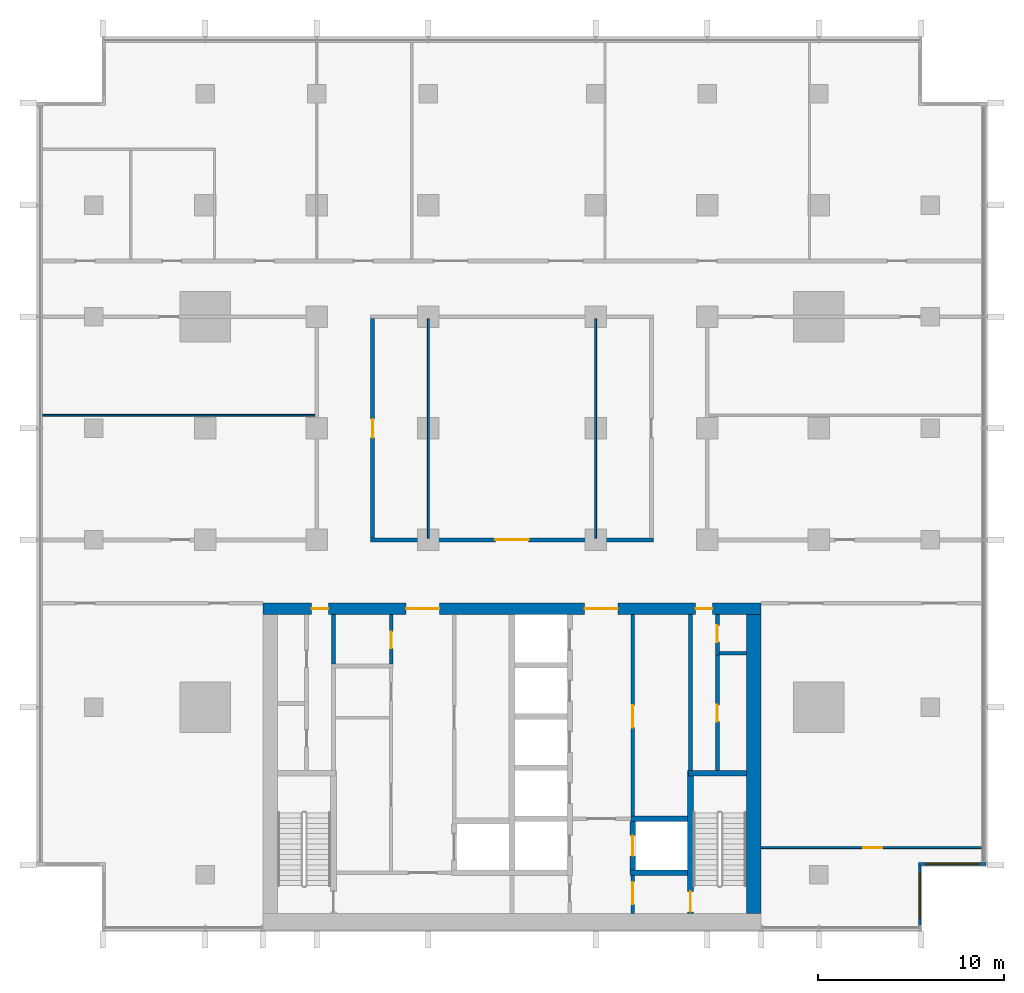
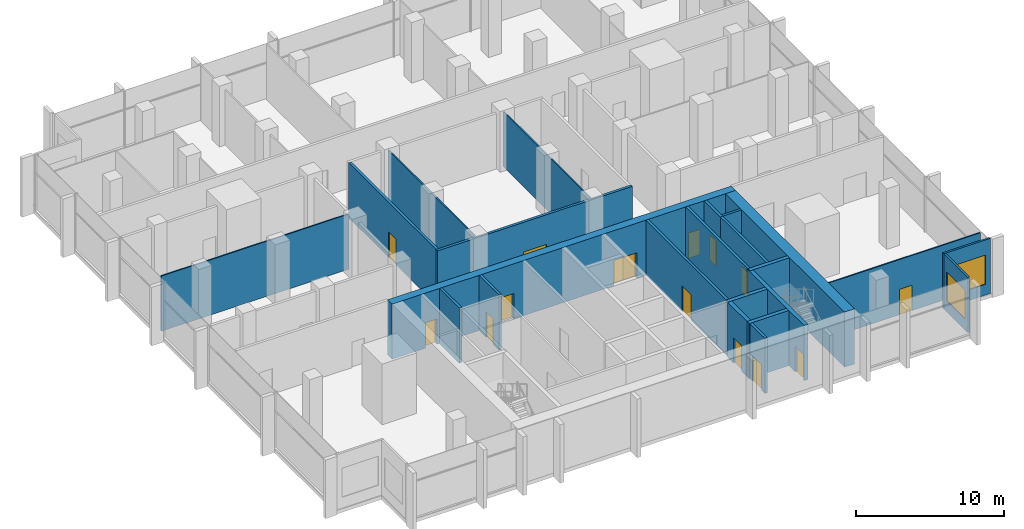
# One storey, part 8 of 15: 23 walls, 14 doors, 2 windows, 16 openings.
"""IFC4 building model written with IfcOpenShell, lengths in metres."""

import ifcopenshell
import ifcopenshell.guid

model = None  # the IFC model being written
_history = None  # IfcOwnerHistory: only IFC2X3 demands one
_inside = {}  # id of a spatial element -> (the spatial element, [elements in it])
_under = {}  # id of a project, library or spatial element -> (it, [spatial elements below it])
_declared = {}  # id of a project -> (the project, [libraries it declares])
_typed = {}  # id of a type object -> (the type object, [elements of that type])
_made_of = {}  # id of a material, layer set ... -> (it, [elements and type objects made of it])


def new_model(schema):
    """Start an empty IFC model of exactly this schema.

    Asked for "IFC4X3", IfcOpenShell would pick the latest addendum, in which some entities
    have other attributes; the version numbers below select the first issue.
    IFC2X3 requires an IfcOwnerHistory on every rooted entity: one is made here for all.
    """
    global model, _history
    if schema == "IFC4X3":
        model = ifcopenshell.file(schema_version=(4, 3, 0, 0))
    else:
        model = ifcopenshell.file(schema=schema)
    _inside.clear()
    _under.clear()
    _declared.clear()
    _typed.clear()
    _made_of.clear()
    _history = None
    if model.schema == "IFC2X3":
        org = make("IfcOrganization", Name="unknown")
        user = make(
            "IfcPersonAndOrganization",
            ThePerson=make("IfcPerson", FamilyName="unknown"),
            TheOrganization=org,
        )
        app = make(
            "IfcApplication",
            ApplicationDeveloper=org,
            Version="unknown",
            ApplicationFullName="unknown",
            ApplicationIdentifier="unknown",
        )
        _history = make(
            "IfcOwnerHistory",
            OwningUser=user,
            OwningApplication=app,
            ChangeAction="ADDED",
            CreationDate=0,
        )
    return model


def make(cls, **values):
    """One entity of the class cls with the attributes given. An attribute that is None is left unset."""
    return model.create_entity(
        cls, **{name: value for name, value in values.items() if value is not None}
    )


def rooted(cls, **values):
    """An entity with a GlobalId (a new one), such as an element, a storey or a relation."""
    return make(cls, GlobalId=ifcopenshell.guid.new(), OwnerHistory=_history, **values)


def si_unit(unit_type, name, prefix=None):
    """IfcSIUnit, for example si_unit("LENGTHUNIT", "METRE", prefix="MILLI")."""
    return make("IfcSIUnit", UnitType=unit_type, Prefix=prefix, Name=name)


def assignment(units):
    """IfcUnitAssignment: the units of a project."""
    return None if units is None else make("IfcUnitAssignment", Units=units)


def point(xyz):
    """IfcCartesianPoint."""
    return None if xyz is None else make("IfcCartesianPoint", Coordinates=xyz)


def direction(xyz):
    """IfcDirection."""
    return None if xyz is None else make("IfcDirection", DirectionRatios=xyz)


def frame(location, z_axis=None, x_axis=None):
    """IfcAxis2Placement3D, a coordinate frame: its origin and axes. An axis left out is left unset."""
    return make(
        "IfcAxis2Placement3D",
        Location=point(location),
        Axis=direction(z_axis),
        RefDirection=direction(x_axis),
    )


def frame_2d(location, x_axis=None):
    """IfcAxis2Placement2D, a coordinate frame in the plane: its origin and x axis."""
    return make(
        "IfcAxis2Placement2D", Location=point(location), RefDirection=direction(x_axis)
    )


def origin():
    """The frame at (0, 0, 0) with its axes left unset."""
    return frame((0.0, 0.0, 0.0))


def place(relative_to, where):
    """IfcLocalPlacement: puts the frame where relative to a parent placement (None: the world)."""
    return make(
        "IfcLocalPlacement", PlacementRelTo=relative_to, RelativePlacement=where
    )


def context(
    kind, dimensions, precision=None, world=None, true_north=None, identifier=None
):
    """IfcGeometricRepresentationContext, for example the 3D "Model" context."""
    return make(
        "IfcGeometricRepresentationContext",
        ContextIdentifier=identifier,
        ContextType=kind,
        CoordinateSpaceDimension=dimensions,
        Precision=precision,
        WorldCoordinateSystem=world,
        TrueNorth=true_north,
    )


def subcontext(parent, identifier, kind, view, scale=None):
    """IfcGeometricRepresentationSubContext, for example "Body" below "Model"."""
    return make(
        "IfcGeometricRepresentationSubContext",
        ContextIdentifier=identifier,
        ContextType=kind,
        ParentContext=parent,
        TargetScale=scale,
        TargetView=view,
    )


def project(units=None, contexts=None):
    """IfcProject with its units and contexts."""
    return rooted(
        "IfcProject",
        Name="project",
        RepresentationContexts=contexts,
        UnitsInContext=assignment(units),
    )


def spatial(cls, under=None, at=None, **own):
    """A site, building, storey or space (cls), placed at a placement, below another one or the project."""
    s = rooted(cls, ObjectPlacement=at, **own)
    if under is not None:
        _under.setdefault(under.id(), (under, []))[1].append(s)
    return s


def profile(cls, at=None, kind="AREA", **sizes):
    """A parametric profile (cls). Its sizes go by their IFC names, for example OverallWidth=200.0."""
    return make(cls, ProfileType=kind, Position=at, **sizes)


def rectangle(**sizes):
    """IfcRectangleProfileDef."""
    return profile("IfcRectangleProfileDef", **sizes)


def extrude(swept, where, along, depth):
    """IfcExtrudedAreaSolid: the profile swept, set in the frame where, extruded along a direction by depth."""
    return make(
        "IfcExtrudedAreaSolid",
        SweptArea=swept,
        Position=where,
        ExtrudedDirection=direction(along),
        Depth=depth,
    )


def shape(context_of_items, identifier, shape_type, items):
    """IfcShapeRepresentation: the items that make up one representation, for example the "Body"."""
    return make(
        "IfcShapeRepresentation",
        ContextOfItems=context_of_items,
        RepresentationIdentifier=identifier,
        RepresentationType=shape_type,
        Items=items,
    )


def material(Name=None, Category=None):
    """IfcMaterial."""
    return make("IfcMaterial", Name=Name, Category=Category)


def layer(
    of_material, thickness, ventilated=None, Name=None, Category=None, Priority=None
):
    """IfcMaterialLayer: one layer of a wall or slab, of a material (None: an air gap)."""
    return make(
        "IfcMaterialLayer",
        Material=of_material,
        LayerThickness=thickness,
        IsVentilated=ventilated,
        Name=Name,
        Category=Category,
        Priority=Priority,
    )


def layer_set(layers, Name=None):
    """IfcMaterialLayerSet."""
    return make("IfcMaterialLayerSet", MaterialLayers=layers, LayerSetName=Name)


def made_of(thing, what):
    """Note that an element or type object is made of a material, layer set ...; save() writes the relation."""
    if what is not None:
        _made_of.setdefault(what.id(), (what, []))[1].append(thing)
    return thing


def type_object(cls, material=None, **own):
    """A type object (cls), such as IfcWallType, which elements share."""
    return made_of(rooted(cls, **own), material)


def element(
    cls,
    number,
    at=None,
    inside=None,
    cuts=None,
    type_object=None,
    material=None,
    context=None,
    identifier="Body",
    shape_type=None,
    held_by="IfcProductDefinitionShape",
    body=None,
    shapes=None,
    **own,
):
    """One element of the class cls, such as IfcWall. Its Tag is "e" and its number.

    at: its placement. inside: the storey or other place that contains it. cuts: it is an
    opening in that element (IfcRelVoidsElement). A single representation is given by context,
    identifier, shape_type and body (its items); several are given by shapes. held_by: the class
    of the entity that holds the representations. save() writes the other relations.
    """
    e = rooted(cls, Tag="e%d" % number, ObjectPlacement=at, **own)
    if body is not None:
        shapes = [shape(context, identifier, shape_type, body)]
    if shapes is not None:
        e.Representation = make(held_by, Representations=shapes)
    if inside is not None:
        _inside.setdefault(inside.id(), (inside, []))[1].append(e)
    if cuts is not None:
        rooted(
            "IfcRelVoidsElement", RelatingBuildingElement=cuts, RelatedOpeningElement=e
        )
    if type_object is not None:
        _typed.setdefault(type_object.id(), (type_object, []))[1].append(e)
    return made_of(e, material)


def fill(opening, filler):
    """IfcRelFillsElement: the door or window that sits in an opening."""
    return rooted(
        "IfcRelFillsElement",
        RelatingOpeningElement=opening,
        RelatedBuildingElement=filler,
    )


def aggregate(whole, parts):
    """IfcRelAggregates: a whole, such as a stair, and the parts it consists of."""
    return rooted("IfcRelAggregates", RelatingObject=whole, RelatedObjects=parts)


def save(model, path):
    """Write the relations noted so far, then the file.

    IfcRelAggregates (storeys below a building ...), IfcRelContainedInSpatialStructure (elements
    in a storey), IfcRelDefinesByType, IfcRelAssociatesMaterial and IfcRelDeclares: one each for
    every whole, place, type object, material and project.
    """
    for whole, parts in _under.values():
        aggregate(whole, parts)
    for where, things in _inside.values():
        rooted(
            "IfcRelContainedInSpatialStructure",
            RelatedElements=things,
            RelatingStructure=where,
        )
    for kind, things in _typed.values():
        rooted("IfcRelDefinesByType", RelatedObjects=things, RelatingType=kind)
    for what, things in _made_of.values():
        rooted("IfcRelAssociatesMaterial", RelatedObjects=things, RelatingMaterial=what)
    for by, libraries in _declared.values():
        rooted("IfcRelDeclares", RelatingContext=by, RelatedDefinitions=libraries)
    model.write(path)


model = new_model("IFC4")

# Units and contexts
model_context = context("Model", 3, precision=1e-05, world=origin(), true_north=direction((0.0, 1.0)))
body_context = subcontext(model_context, "Body", "Model", "MODEL_VIEW")
ifc_project = project(units=[si_unit("LENGTHUNIT", "METRE"), si_unit("AREAUNIT", "SQUARE_METRE"), si_unit("VOLUMEUNIT", "CUBIC_METRE"), si_unit("PLANEANGLEUNIT", "RADIAN"), si_unit("MASSUNIT", "GRAM", prefix="KILO")], contexts=[model_context])

# Site, building, storey
site_placement = place(None, origin())
site = spatial("IfcSite", under=ifc_project, at=site_placement, CompositionType="ELEMENT")
building_placement = place(site_placement, origin())
building = spatial("IfcBuilding", under=site, at=building_placement, Name="Finial Court Residences", CompositionType="ELEMENT")
storey_placement = place(building_placement, frame((0.0, 0.0, 138.89990234375)))
storey = spatial("IfcBuildingStorey", under=building, at=storey_placement, Name="L34", CompositionType="ELEMENT", Elevation=138.89990234375)

# Wall, openings, doors
ifc_material_1 = material(Name="Concrete C70/85", Category="concrete")
ifc_layer_1 = layer(ifc_material_1, 0.60009765625)
ifc_layer_set_1 = layer_set([ifc_layer_1], Name="Core outer wall 600 Concrete C70/85")
wall_type_1 = type_object("IfcWallType", Name="Core outer wall 600 Concrete C70/85", PredefinedType="SHEAR", material=ifc_layer_set_1)
wall_1_placement = place(storey_placement, frame((-13.39990234375, -8.199951171875, 0.0), z_axis=(0.0, 0.0, 1.0), x_axis=(1.0, 0.0, 0.0)))
wall_1 = element("IfcWall", 1, at=wall_1_placement, inside=storey, type_object=wall_type_1, Name="Core outer wall L34-02", PredefinedType="SHEAR", context=body_context, shape_type="SweptSolid", body=[
    extrude(rectangle(XDim=26.7998046875, YDim=0.60009765625, at=frame_2d((13.39990234375, 0.0))), origin(), (0.0, 0.0, 1.0), 4.550048828125),
])
opening_1_placement = place(wall_1_placement, frame((7.699951171875, 0.0, 0.0)))
opening_1 = element("IfcOpeningElement", 2, at=opening_1_placement, cuts=wall_1, Name="Opening L34-C04", PredefinedType="OPENING", context=body_context, shape_type="SweptSolid", body=[
    extrude(rectangle(XDim=1.800048828125, YDim=2.10009765625, at=frame_2d((0.89990234375, 1.050048828125))), frame((0.0, 0.31005859375, 0.0), z_axis=(0.0, -1.0, 0.0), x_axis=(1.0, 0.0, 0.0)), (0.0, 0.0, 1.0), 0.6201171875),
])
opening_2_placement = place(wall_1_placement, frame((17.300048828125, 0.0, 0.0)))
opening_2 = element("IfcOpeningElement", 3, at=opening_2_placement, cuts=wall_1, Name="Opening L34-C05", PredefinedType="OPENING", context=body_context, shape_type="SweptSolid", body=[
    extrude(rectangle(XDim=1.800048828125, YDim=2.10009765625, at=frame_2d((0.89990234375, 1.050048828125))), frame((0.0, 0.31005859375, 0.0), z_axis=(0.0, -1.0, 0.0), x_axis=(1.0, 0.0, 0.0)), (0.0, 0.0, 1.0), 0.6201171875),
])
opening_3_placement = place(wall_1_placement, frame((2.625, 0.0, 0.0)))
opening_3 = element("IfcOpeningElement", 4, at=opening_3_placement, cuts=wall_1, Name="Opening L34-C12", PredefinedType="OPENING", context=body_context, shape_type="SweptSolid", body=[
    extrude(rectangle(XDim=0.89990234375, YDim=2.10009765625, at=frame_2d((0.449951171875, 1.050048828125))), frame((0.0, 0.31005859375, 0.0), z_axis=(0.0, -1.0, 0.0), x_axis=(1.0, 0.0, 0.0)), (0.0, 0.0, 1.0), 0.6201171875),
])
opening_4_placement = place(wall_1_placement, frame((23.27490234375, 0.0, 0.0)))
opening_4 = element("IfcOpeningElement", 5, at=opening_4_placement, cuts=wall_1, Name="Opening L34-C13", PredefinedType="OPENING", context=body_context, shape_type="SweptSolid", body=[
    extrude(rectangle(XDim=0.89990234375, YDim=2.10009765625, at=frame_2d((0.449951171875, 1.050048828125))), frame((0.0, 0.31005859375, 0.0), z_axis=(0.0, -1.0, 0.0), x_axis=(1.0, 0.0, 0.0)), (0.0, 0.0, 1.0), 0.6201171875),
])
ifc_material_2 = material(Name="Steel fire door", Category="steel")
door_type_1 = type_object("IfcDoorType", Name="Lift lobby door 1800 x 2100 EI 60", OperationType="DOUBLE_DOOR_SINGLE_SWING", PredefinedType="DOOR", material=ifc_material_2)
door_1_placement = place(opening_1_placement, origin())
door_1 = element("IfcDoor", 6, at=door_1_placement, inside=storey, type_object=door_type_1, Name="Lift lobby door L34-C04", OperationType="DOUBLE_DOOR_SINGLE_SWING", OverallHeight=2.10009765625, OverallWidth=1.800048828125, PredefinedType="DOOR", context=body_context, shape_type="SweptSolid", body=[
    extrude(rectangle(XDim=1.800048828125, YDim=2.10009765625, at=frame_2d((0.89990234375, 1.050048828125))), frame((0.0, 0.02490234375, 0.0), z_axis=(0.0, -1.0, 0.0), x_axis=(1.0, 0.0, 0.0)), (0.0, 0.0, 1.0), 0.050048828125),
])
fill(opening_1, door_1)
door_2_placement = place(opening_2_placement, origin())
door_2 = element("IfcDoor", 7, at=door_2_placement, inside=storey, type_object=door_type_1, Name="Lift lobby door L34-C05", OperationType="DOUBLE_DOOR_SINGLE_SWING", OverallHeight=2.10009765625, OverallWidth=1.800048828125, PredefinedType="DOOR", context=body_context, shape_type="SweptSolid", body=[
    extrude(rectangle(XDim=1.800048828125, YDim=2.10009765625, at=frame_2d((0.89990234375, 1.050048828125))), frame((0.0, 0.02490234375, 0.0), z_axis=(0.0, -1.0, 0.0), x_axis=(1.0, 0.0, 0.0)), (0.0, 0.0, 1.0), 0.050048828125),
])
fill(opening_2, door_2)
door_type_2 = type_object("IfcDoorType", Name="Riser room door 900 x 2100 EI 90", OperationType="NOTDEFINED", PredefinedType="DOOR", material=ifc_material_2)
door_3_placement = place(opening_3_placement, origin())
door_3 = element("IfcDoor", 8, at=door_3_placement, inside=storey, type_object=door_type_2, Name="Riser room door L34-C12", OperationType="SINGLE_SWING_RIGHT", OverallHeight=2.10009765625, OverallWidth=0.89990234375, PredefinedType="DOOR", context=body_context, shape_type="SweptSolid", body=[
    extrude(rectangle(XDim=0.89990234375, YDim=2.10009765625, at=frame_2d((0.449951171875, 1.050048828125))), frame((0.0, 0.02490234375, 0.0), z_axis=(0.0, -1.0, 0.0), x_axis=(1.0, 0.0, 0.0)), (0.0, 0.0, 1.0), 0.050048828125),
])
fill(opening_3, door_3)
door_4_placement = place(opening_4_placement, origin())
door_4 = element("IfcDoor", 9, at=door_4_placement, inside=storey, type_object=door_type_2, Name="Riser room door L34-C13", OperationType="SINGLE_SWING_LEFT", OverallHeight=2.10009765625, OverallWidth=0.89990234375, PredefinedType="DOOR", context=body_context, shape_type="SweptSolid", body=[
    extrude(rectangle(XDim=0.89990234375, YDim=2.10009765625, at=frame_2d((0.449951171875, 1.050048828125))), frame((0.0, 0.02490234375, 0.0), z_axis=(0.0, -1.0, 0.0), x_axis=(1.0, 0.0, 0.0)), (0.0, 0.0, 1.0), 0.050048828125),
])
fill(opening_4, door_4)

# Wall
ifc_layer_2 = layer(ifc_material_1, 0.800048828125)
ifc_layer_set_2 = layer_set([ifc_layer_2], Name="Core outer wall 800 Concrete C70/85")
wall_type_2 = type_object("IfcWallType", Name="Core outer wall 800 Concrete C70/85", PredefinedType="SHEAR", material=ifc_layer_set_2)
wall_2_placement = place(storey_placement, frame((13.0, -24.60009765625, 0.0), z_axis=(0.0, 0.0, 1.0), x_axis=(0.0, 1.0, 0.0)))
element("IfcWall", 10, at=wall_2_placement, inside=storey, type_object=wall_type_2, Name="Core outer wall L34-04", PredefinedType="SHEAR", context=body_context, shape_type="SweptSolid", body=[
    extrude(rectangle(XDim=16.10009765625, YDim=0.800048828125, at=frame_2d((8.050048828125, 0.0))), origin(), (0.0, 0.0, 1.0), 4.550048828125),
])

# Wall, opening, door
ifc_material_3 = material(Name="Gypsum board")
ifc_layer_3 = layer(ifc_material_3, 0.02490234375)
ifc_material_4 = material(Name="Acoustic mineral wool in double frame")
ifc_layer_4 = layer(ifc_material_4, 0.14990234375)
ifc_layer_5 = layer(ifc_material_3, 0.02490234375)
ifc_layer_set_3 = layer_set([ifc_layer_3, ifc_layer_4, ifc_layer_5], Name="Corridor wall 200, 1 hour")
wall_type_3 = type_object("IfcWallType", Name="Corridor wall 200, 1 hour", PredefinedType="PARTITIONING", material=ifc_layer_set_3)
wall_3_placement = place(storey_placement, frame((-7.60009765625, -4.5, 0.0), z_axis=(0.0, 0.0, 1.0), x_axis=(1.0, 0.0, 0.0)))
wall_3 = element("IfcWall", 11, at=wall_3_placement, inside=storey, type_object=wall_type_3, Name="Partition L34-004", PredefinedType="PARTITIONING", context=body_context, shape_type="SweptSolid", body=[
    extrude(rectangle(XDim=15.2001953125, YDim=0.199951171875, at=frame_2d((7.60009765625, 0.0))), origin(), (0.0, 0.0, 1.0), 4.550048828125),
])
opening_5_placement = place(wall_3_placement, frame((6.699951171875, 0.0, 0.0)))
opening_5 = element("IfcOpeningElement", 12, at=opening_5_placement, cuts=wall_3, Name="Opening L34-D007", PredefinedType="OPENING", context=body_context, shape_type="SweptSolid", body=[
    extrude(rectangle(XDim=1.800048828125, YDim=2.10009765625, at=frame_2d((0.89990234375, 1.050048828125))), frame((0.0, 0.10986328125, 0.0), z_axis=(0.0, -1.0, 0.0), x_axis=(1.0, 0.0, 0.0)), (0.0, 0.0, 1.0), 0.219970703125),
])
ifc_material_5 = material(Name="Timber door leaf in hollow metal frame", Category="wood")
door_type_3 = type_object("IfcDoorType", Name="Fire door set 1800 x 2100, 30 minutes", OperationType="DOUBLE_DOOR_SINGLE_SWING", PredefinedType="DOOR", material=ifc_material_5)
door_5_placement = place(opening_5_placement, origin())
door_5 = element("IfcDoor", 13, at=door_5_placement, inside=storey, type_object=door_type_3, Name="Door L34-D007", OperationType="DOUBLE_DOOR_SINGLE_SWING", OverallHeight=2.10009765625, OverallWidth=1.800048828125, PredefinedType="DOOR", context=body_context, shape_type="SweptSolid", body=[
    extrude(rectangle(XDim=1.800048828125, YDim=2.10009765625, at=frame_2d((0.89990234375, 1.050048828125))), frame((0.0, 0.02490234375, 0.0), z_axis=(0.0, -1.0, 0.0), x_axis=(1.0, 0.0, 0.0)), (0.0, 0.0, 1.0), 0.050048828125),
])
fill(opening_5, door_5)

wall_4_placement = place(storey_placement, frame((-7.5, -4.39990234375, 0.0), z_axis=(0.0, 0.0, 1.0), x_axis=(0.0, 1.0, 0.0)))
wall_4 = element("IfcWall", 14, at=wall_4_placement, inside=storey, type_object=wall_type_3, Name="Partition L34-017", PredefinedType="PARTITIONING", context=body_context, shape_type="SweptSolid", body=[
    extrude(rectangle(XDim=11.7998046875, YDim=0.199951171875, at=frame_2d((5.89990234375, 0.0))), origin(), (0.0, 0.0, 1.0), 4.550048828125),
])
opening_6_placement = place(wall_4_placement, frame((5.39990234375, 0.0, 0.0)))
opening_6 = element("IfcOpeningElement", 15, at=opening_6_placement, cuts=wall_4, Name="Opening L34-D020", PredefinedType="OPENING", context=body_context, shape_type="SweptSolid", body=[
    extrude(rectangle(XDim=1.0, YDim=2.10009765625, at=frame_2d((0.5, 1.050048828125))), frame((0.0, 0.10986328125, 0.0), z_axis=(0.0, -1.0, 0.0), x_axis=(1.0, 0.0, 0.0)), (0.0, 0.0, 1.0), 0.219970703125),
])
door_type_4 = type_object("IfcDoorType", Name="Fire door set 1000 x 2100, 30 minutes", OperationType="SINGLE_SWING_LEFT", PredefinedType="DOOR", material=ifc_material_5)
door_6_placement = place(opening_6_placement, origin())
door_6 = element("IfcDoor", 16, at=door_6_placement, inside=storey, type_object=door_type_4, Name="Door L34-D020", OperationType="SINGLE_SWING_RIGHT", OverallHeight=2.10009765625, OverallWidth=1.0, PredefinedType="DOOR", context=body_context, shape_type="SweptSolid", body=[
    extrude(rectangle(XDim=1.0, YDim=2.10009765625, at=frame_2d((0.5, 1.050048828125))), frame((0.0, 0.02490234375, 0.0), z_axis=(0.0, -1.0, 0.0), x_axis=(1.0, 0.0, 0.0)), (0.0, 0.0, 1.0), 0.050048828125),
])
fill(opening_6, door_6)

ifc_material_6 = material(Name="Fire-rated gypsum board partition")
ifc_layer_6 = layer(ifc_material_6, 0.199951171875)
ifc_layer_set_4 = layer_set([ifc_layer_6], Name="Firefighting lobby wall 200 EI 120")
wall_type_4 = type_object("IfcWallType", Name="Firefighting lobby wall 200 EI 120", PredefinedType="PARTITIONING", material=ifc_layer_set_4)
wall_5_placement = place(storey_placement, frame((6.5, -22.550048828125, 0.0), z_axis=(0.0, 0.0, 1.0), x_axis=(0.0, -1.0, 0.0)))
wall_5 = element("IfcWall", 17, at=wall_5_placement, inside=storey, type_object=wall_type_4, Name="Core partition L34-30", PredefinedType="PARTITIONING", context=body_context, shape_type="SweptSolid", body=[
    extrude(rectangle(XDim=2.050048828125, YDim=0.199951171875, at=frame_2d((1.02490234375, 0.0))), origin(), (0.0, 0.0, 1.0), 4.550048828125),
])
opening_7_placement = place(wall_5_placement, frame((0.35009765625, 0.0, 0.0)))
opening_7 = element("IfcOpeningElement", 18, at=opening_7_placement, cuts=wall_5, Name="Opening L34-C01", PredefinedType="OPENING", context=body_context, shape_type="SweptSolid", body=[
    extrude(rectangle(XDim=1.199951171875, YDim=2.10009765625, at=frame_2d((0.60009765625, 1.050048828125))), frame((0.0, 0.10986328125, 0.0), z_axis=(0.0, -1.0, 0.0), x_axis=(1.0, 0.0, 0.0)), (0.0, 0.0, 1.0), 0.219970703125),
])
door_type_5 = type_object("IfcDoorType", Name="Firefighting lobby door 1200 x 2100 EI 90", OperationType="NOTDEFINED", PredefinedType="DOOR", material=ifc_material_2)
door_7_placement = place(opening_7_placement, origin())
door_7 = element("IfcDoor", 19, at=door_7_placement, inside=storey, type_object=door_type_5, Name="Firefighting lobby door L34-C01", OperationType="SINGLE_SWING_RIGHT", OverallHeight=2.10009765625, OverallWidth=1.199951171875, PredefinedType="DOOR", context=body_context, shape_type="SweptSolid", body=[
    extrude(rectangle(XDim=1.199951171875, YDim=2.10009765625, at=frame_2d((0.60009765625, 1.050048828125))), frame((0.0, 0.02490234375, 0.0), z_axis=(0.0, -1.0, 0.0), x_axis=(1.0, 0.0, 0.0)), (0.0, 0.0, 1.0), 0.050048828125),
])
fill(opening_7, door_7)

ifc_layer_7 = layer(ifc_material_3, 0.012451171875)
ifc_material_7 = material(Name="Mineral wool in light-gauge frame")
ifc_layer_8 = layer(ifc_material_7, 0.074951171875)
ifc_layer_9 = layer(ifc_material_3, 0.012451171875)
ifc_layer_set_5 = layer_set([ifc_layer_7, ifc_layer_8, ifc_layer_9], Name="Gypsum board partition 100")
wall_type_5 = type_object("IfcWallType", Name="Gypsum board partition 100", PredefinedType="PARTITIONING", material=ifc_layer_set_5)
wall_6_placement = place(storey_placement, frame((13.39990234375, -21.050048828125, 0.0), z_axis=(0.0, 0.0, 1.0), x_axis=(1.0, 0.0, 0.0)))
wall_6 = element("IfcWall", 20, at=wall_6_placement, inside=storey, type_object=wall_type_5, Name="Partition L34-000", PredefinedType="PARTITIONING", context=body_context, shape_type="SweptSolid", body=[
    extrude(rectangle(XDim=11.837646484375, YDim=0.10009765625, at=frame_2d((5.9189453125, 0.0))), origin(), (0.0, 0.0, 1.0), 4.550048828125),
])
opening_8_placement = place(wall_6_placement, frame((5.5, 0.0, 0.0)))
opening_8 = element("IfcOpeningElement", 21, at=opening_8_placement, cuts=wall_6, Name="Opening L34-D001", PredefinedType="OPENING", context=body_context, shape_type="SweptSolid", body=[
    extrude(rectangle(XDim=1.0, YDim=2.10009765625, at=frame_2d((0.5, 1.050048828125))), frame((0.0, 0.06005859375, 0.0), z_axis=(0.0, -1.0, 0.0), x_axis=(1.0, 0.0, 0.0)), (0.0, 0.0, 1.0), 0.1201171875),
])
ifc_material_8 = material(Name="Timber door leaf in timber frame", Category="wood")
door_type_6 = type_object("IfcDoorType", Name="Door set 1000 x 2100", OperationType="SINGLE_SWING_LEFT", PredefinedType="DOOR", material=ifc_material_8)
door_8_placement = place(opening_8_placement, origin())
door_8 = element("IfcDoor", 22, at=door_8_placement, inside=storey, type_object=door_type_6, Name="Door L34-D001", OperationType="SINGLE_SWING_LEFT", OverallHeight=2.10009765625, OverallWidth=1.0, PredefinedType="DOOR", context=body_context, shape_type="SweptSolid", body=[
    extrude(rectangle(XDim=1.0, YDim=2.10009765625, at=frame_2d((0.5, 1.050048828125))), frame((0.0, 0.02490234375, 0.0), z_axis=(0.0, -1.0, 0.0), x_axis=(1.0, 0.0, 0.0)), (0.0, 0.0, 1.0), 0.050048828125),
])
fill(opening_8, door_8)

# Walls
wall_7_placement = place(storey_placement, frame((-25.237548828125, 2.199951171875, 0.0), z_axis=(0.0, 0.0, 1.0), x_axis=(1.0, 0.0, 0.0)))
element("IfcWall", 23, at=wall_7_placement, inside=storey, type_object=wall_type_5, Name="Partition L34-006", PredefinedType="PARTITIONING", context=body_context, shape_type="SweptSolid", body=[
    extrude(rectangle(XDim=14.637451171875, YDim=0.10009765625, at=frame_2d((7.31884765625, 0.0))), origin(), (0.0, 0.0, 1.0), 4.550048828125),
])
for number, where, z_axis, x_axis, name in (
    (24, (-4.5, -4.39990234375, 0.0), (0.0, 0.0, 1.0), (0.0, 1.0, 0.0), "Partition L34-019"),
    (25, (4.5, -4.39990234375, 0.0), (0.0, 0.0, 1.0), (0.0, 1.0, 0.0), "Partition L34-020"),
):
    element("IfcWall", number, at=place(storey_placement, frame(where, z_axis=z_axis, x_axis=x_axis)), inside=storey, type_object=wall_type_5, Name=name, PredefinedType="PARTITIONING", context=body_context, shape_type="SweptSolid", body=[
        extrude(rectangle(XDim=11.7998046875, YDim=0.10009765625, at=frame_2d((5.89990234375, 0.0))), origin(), (0.0, 0.0, 1.0), 4.550048828125),
    ])
ifc_layer_10 = layer(ifc_material_1, 0.300048828125)
ifc_layer_set_6 = layer_set([ifc_layer_10], Name="Lift shaft and stair wall 300 Concrete C70/85")
wall_type_6 = type_object("IfcWallType", Name="Lift shaft and stair wall 300 Concrete C70/85", PredefinedType="SHEAR", material=ifc_layer_set_6)
wall_8_placement = place(storey_placement, frame((6.35009765625, -22.39990234375, 0.0), z_axis=(0.0, 0.0, 1.0), x_axis=(1.0, 0.0, 0.0)))
element("IfcWall", 26, at=wall_8_placement, inside=storey, type_object=wall_type_6, Name="Core wall L34-03", PredefinedType="SHEAR", context=body_context, shape_type="SweptSolid", body=[
    extrude(rectangle(XDim=3.099853515625, YDim=0.300048828125, at=frame_2d((1.5498046875, 0.0))), origin(), (0.0, 0.0, 1.0), 4.550048828125),
])
wall_9_placement = place(storey_placement, frame((6.39990234375, -19.5, 0.0), z_axis=(0.0, 0.0, 1.0), x_axis=(1.0, 0.0, 0.0)))
element("IfcWall", 27, at=wall_9_placement, inside=storey, type_object=wall_type_6, Name="Core wall L34-07", PredefinedType="SHEAR", context=body_context, shape_type="SweptSolid", body=[
    extrude(rectangle(XDim=3.050048828125, YDim=0.300048828125, at=frame_2d((1.52490234375, 0.0))), origin(), (0.0, 0.0, 1.0), 4.550048828125),
])
wall_10_placement = place(storey_placement, frame((9.5, -17.050048828125, 0.0), z_axis=(0.0, 0.0, 1.0), x_axis=(1.0, 0.0, 0.0)))
element("IfcWall", 28, at=wall_10_placement, inside=storey, type_object=wall_type_6, Name="Core wall L34-09", PredefinedType="SHEAR", context=body_context, shape_type="SweptSolid", body=[
    extrude(rectangle(XDim=3.10009765625, YDim=0.300048828125, at=frame_2d((1.550048828125, 0.0))), origin(), (0.0, 0.0, 1.0), 4.550048828125),
])

# Wall, opening, door
wall_11_placement = place(storey_placement, frame((6.5, -22.25, 0.0), z_axis=(0.0, 0.0, 1.0), x_axis=(0.0, 1.0, 0.0)))
wall_11 = element("IfcWall", 29, at=wall_11_placement, inside=storey, type_object=wall_type_6, Name="Core wall L34-31", PredefinedType="SHEAR", context=body_context, shape_type="SweptSolid", body=[
    extrude(rectangle(XDim=2.60009765625, YDim=0.300048828125, at=frame_2d((1.300048828125, 0.0))), origin(), (0.0, 0.0, 1.0), 4.550048828125),
])
opening_9_placement = place(wall_11_placement, frame((0.75, 0.0, 0.0)))
opening_9 = element("IfcOpeningElement", 30, at=opening_9_placement, cuts=wall_11, Name="Opening L34-LD02", PredefinedType="OPENING", context=body_context, shape_type="SweptSolid", body=[
    extrude(rectangle(XDim=1.10009765625, YDim=2.10009765625, at=frame_2d((0.550048828125, 1.050048828125))), frame((0.0, 0.159912109375, 0.0), z_axis=(0.0, -1.0, 0.0), x_axis=(1.0, 0.0, 0.0)), (0.0, 0.0, 1.0), 0.320068359375),
])
ifc_material_9 = material(Name="Stainless steel lift door", Category="steel")
door_type_7 = type_object("IfcDoorType", Name="Lift landing door 1100 x 2100 EI 90", OperationType="DOUBLE_DOOR_SLIDING", PredefinedType="DOOR", material=ifc_material_9)
door_9_placement = place(opening_9_placement, origin())
door_9 = element("IfcDoor", 31, at=door_9_placement, inside=storey, type_object=door_type_7, Name="Lift landing door FF2 L34", OperationType="DOUBLE_DOOR_SLIDING", OverallHeight=2.10009765625, OverallWidth=1.10009765625, PredefinedType="DOOR", context=body_context, shape_type="SweptSolid", body=[
    extrude(rectangle(XDim=1.10009765625, YDim=2.10009765625, at=frame_2d((0.550048828125, 1.050048828125))), frame((0.0, 0.02490234375, 0.0), z_axis=(0.0, -1.0, 0.0), x_axis=(1.0, 0.0, 0.0)), (0.0, 0.0, 1.0), 0.050048828125),
])
fill(opening_9, door_9)

wall_12_placement = place(storey_placement, frame((9.60009765625, -16.89990234375, 0.0), z_axis=(0.0, 0.0, 1.0), x_axis=(0.0, -1.0, 0.0)))
wall_12 = element("IfcWall", 32, at=wall_12_placement, inside=storey, type_object=wall_type_6, Name="Core wall L34-33", PredefinedType="SHEAR", context=body_context, shape_type="SweptSolid", body=[
    extrude(rectangle(XDim=7.7001953125, YDim=0.300048828125, at=frame_2d((3.85009765625, 0.0))), origin(), (0.0, 0.0, 1.0), 4.550048828125),
])
opening_10_placement = place(wall_12_placement, frame((6.5, 0.0, 0.0)))
opening_10 = element("IfcOpeningElement", 33, at=opening_10_placement, cuts=wall_12, Name="Opening L34-C19", PredefinedType="OPENING", context=body_context, shape_type="SweptSolid", body=[
    extrude(rectangle(XDim=1.10009765625, YDim=2.10009765625, at=frame_2d((0.550048828125, 1.050048828125))), frame((0.0, 0.159912109375, 0.0), z_axis=(0.0, -1.0, 0.0), x_axis=(1.0, 0.0, 0.0)), (0.0, 0.0, 1.0), 0.320068359375),
])
door_type_8 = type_object("IfcDoorType", Name="Stair door 1100 x 2100 EI 90", OperationType="NOTDEFINED", PredefinedType="DOOR", material=ifc_material_2)
door_10_placement = place(opening_10_placement, origin())
door_10 = element("IfcDoor", 34, at=door_10_placement, inside=storey, type_object=door_type_8, Name="Stair door L34-C19", OperationType="SINGLE_SWING_RIGHT", OverallHeight=2.10009765625, OverallWidth=1.10009765625, PredefinedType="DOOR", context=body_context, shape_type="SweptSolid", body=[
    extrude(rectangle(XDim=1.10009765625, YDim=2.10009765625, at=frame_2d((0.550048828125, 1.050048828125))), frame((0.0, 0.02490234375, 0.0), z_axis=(0.0, -1.0, 0.0), x_axis=(1.0, 0.0, 0.0)), (0.0, 0.0, 1.0), 0.050048828125),
])
fill(opening_10, door_10)

# Wall, opening, window
ifc_material_10 = material(Name="Natural limestone", Category="masonry")
ifc_layer_11 = layer(ifc_material_10, 0.14990234375)
ifc_layer_set_7 = layer_set([ifc_layer_11], Name="Limestone clad wall 150")
wall_type_7 = type_object("IfcWallType", Name="Limestone clad wall 150", PredefinedType="SOLIDWALL", material=ifc_layer_set_7)
wall_13_placement = place(storey_placement, frame((21.925048828125, -22.0, 0.0), z_axis=(0.0, 0.0, 1.0), x_axis=(0.0, -1.0, 0.0)))
wall_13 = element("IfcWall", 35, at=wall_13_placement, inside=storey, type_object=wall_type_7, Name="E-L34-NWE8", PredefinedType="SOLIDWALL", context=body_context, shape_type="SweptSolid", body=[
    extrude(rectangle(XDim=3.237548828125, YDim=0.14990234375, at=frame_2d((1.61865234375, 0.0))), origin(), (0.0, 0.0, 1.0), 4.550048828125),
])
opening_11_placement = place(wall_13_placement, frame((0.398681640625, 0.0, 0.89990234375)))
opening_11 = element("IfcOpeningElement", 36, at=opening_11_placement, cuts=wall_13, Name="Opening WE34-03", PredefinedType="OPENING", context=body_context, shape_type="SweptSolid", body=[
    extrude(rectangle(XDim=2.43994140625, YDim=2.39990234375, at=frame_2d((1.219970703125, 1.199951171875))), frame((0.0, 0.0849609375, 0.0), z_axis=(0.0, -1.0, 0.0), x_axis=(1.0, 0.0, 0.0)), (0.0, 0.0, 1.0), 0.169921875),
])
ifc_material_11 = material(Name="Clear low-e glass", Category="glass")
window_type_1 = type_object("IfcWindowType", Name="Corner window 2440 x 2400", PartitioningType="SINGLE_PANEL", PredefinedType="WINDOW", material=ifc_material_11)
window_1_placement = place(opening_11_placement, origin())
window_1 = element("IfcWindow", 37, at=window_1_placement, inside=storey, type_object=window_type_1, Name="E-L34-NWE8-W1", OverallHeight=2.39990234375, OverallWidth=2.43994140625, PartitioningType="SINGLE_PANEL", PredefinedType="WINDOW", context=body_context, shape_type="SweptSolid", body=[
    extrude(rectangle(XDim=2.43994140625, YDim=2.39990234375, at=frame_2d((1.219970703125, 1.199951171875))), frame((0.0, 0.030029296875, 0.0), z_axis=(0.0, -1.0, 0.0), x_axis=(1.0, 0.0, 0.0)), (0.0, 0.0, 1.0), 0.06005859375),
])
fill(opening_11, window_1)

wall_14_placement = place(storey_placement, frame((25.5, -21.925048828125, 0.0), z_axis=(0.0, 0.0, 1.0), x_axis=(-1.0, 0.0, 0.0)))
wall_14 = element("IfcWall", 38, at=wall_14_placement, inside=storey, type_object=wall_type_7, Name="E-L34-NWS9", PredefinedType="SOLIDWALL", context=body_context, shape_type="SweptSolid", body=[
    extrude(rectangle(XDim=3.64990234375, YDim=0.14990234375, at=frame_2d((1.824951171875, 0.0))), origin(), (0.0, 0.0, 1.0), 4.550048828125),
])
opening_12_placement = place(wall_14_placement, frame((0.39990234375, 0.0, 0.89990234375)))
opening_12 = element("IfcOpeningElement", 39, at=opening_12_placement, cuts=wall_14, Name="Opening WE34-04", PredefinedType="OPENING", context=body_context, shape_type="SweptSolid", body=[
    extrude(rectangle(XDim=2.85009765625, YDim=2.39990234375, at=frame_2d((1.425048828125, 1.199951171875))), frame((0.0, 0.0849609375, 0.0), z_axis=(0.0, -1.0, 0.0), x_axis=(1.0, 0.0, 0.0)), (0.0, 0.0, 1.0), 0.169921875),
])
window_type_2 = type_object("IfcWindowType", Name="Corner window 2850 x 2400", PartitioningType="SINGLE_PANEL", PredefinedType="WINDOW", material=ifc_material_11)
window_2_placement = place(opening_12_placement, origin())
window_2 = element("IfcWindow", 40, at=window_2_placement, inside=storey, type_object=window_type_2, Name="E-L34-NWS9-W1", OverallHeight=2.39990234375, OverallWidth=2.85009765625, PartitioningType="SINGLE_PANEL", PredefinedType="WINDOW", context=body_context, shape_type="SweptSolid", body=[
    extrude(rectangle(XDim=2.85009765625, YDim=2.39990234375, at=frame_2d((1.425048828125, 1.199951171875))), frame((0.0, 0.030029296875, 0.0), z_axis=(0.0, -1.0, 0.0), x_axis=(1.0, 0.0, 0.0)), (0.0, 0.0, 1.0), 0.06005859375),
])
fill(opening_12, window_2)

# Walls
ifc_layer_12 = layer(ifc_material_6, 0.199951171875)
ifc_layer_set_8 = layer_set([ifc_layer_12], Name="Riser room wall 200 EI 120")
wall_type_8 = type_object("IfcWallType", Name="Riser room wall 200 EI 120", PredefinedType="PARTITIONING", material=ifc_layer_set_8)
wall_15_placement = place(storey_placement, frame((11.14990234375, -10.60009765625, 0.0), z_axis=(0.0, 0.0, 1.0), x_axis=(1.0, 0.0, 0.0)))
element("IfcWall", 41, at=wall_15_placement, inside=storey, type_object=wall_type_8, Name="Core partition L34-16", PredefinedType="PARTITIONING", context=body_context, shape_type="SweptSolid", body=[
    extrude(rectangle(XDim=1.4501953125, YDim=0.199951171875, at=frame_2d((0.72509765625, 0.0))), origin(), (0.0, 0.0, 1.0), 4.550048828125),
])
wall_16_placement = place(storey_placement, frame((-9.60009765625, -11.179931640625, 0.0), z_axis=(0.0, 0.0, 1.0), x_axis=(0.0, 1.0, 0.0)))
element("IfcWall", 42, at=wall_16_placement, inside=storey, type_object=wall_type_8, Name="Core partition L34-21", PredefinedType="PARTITIONING", context=body_context, shape_type="SweptSolid", body=[
    extrude(rectangle(XDim=2.679931640625, YDim=0.199951171875, at=frame_2d((1.33984375, 0.0))), origin(), (0.0, 0.0, 1.0), 4.550048828125),
])

# Wall, opening, door
wall_17_placement = place(storey_placement, frame((-6.5, -11.179931640625, 0.0), z_axis=(0.0, 0.0, 1.0), x_axis=(0.0, 1.0, 0.0)))
wall_17 = element("IfcWall", 43, at=wall_17_placement, inside=storey, type_object=wall_type_8, Name="Core partition L34-23", PredefinedType="PARTITIONING", context=body_context, shape_type="SweptSolid", body=[
    extrude(rectangle(XDim=2.679931640625, YDim=0.199951171875, at=frame_2d((1.33984375, 0.0))), origin(), (0.0, 0.0, 1.0), 4.550048828125),
])
opening_13_placement = place(wall_17_placement, frame((0.840087890625, 0.0, 0.0)))
opening_13 = element("IfcOpeningElement", 44, at=opening_13_placement, cuts=wall_17, Name="Opening L34-C09", PredefinedType="OPENING", context=body_context, shape_type="SweptSolid", body=[
    extrude(rectangle(XDim=0.89990234375, YDim=2.10009765625, at=frame_2d((0.449951171875, 1.050048828125))), frame((0.0, 0.10986328125, 0.0), z_axis=(0.0, -1.0, 0.0), x_axis=(1.0, 0.0, 0.0)), (0.0, 0.0, 1.0), 0.219970703125),
])
door_11_placement = place(opening_13_placement, origin())
door_11 = element("IfcDoor", 45, at=door_11_placement, inside=storey, type_object=door_type_2, Name="Riser room door L34-C09", OperationType="SINGLE_SWING_LEFT", OverallHeight=2.10009765625, OverallWidth=0.89990234375, PredefinedType="DOOR", context=body_context, shape_type="SweptSolid", body=[
    extrude(rectangle(XDim=0.89990234375, YDim=2.10009765625, at=frame_2d((0.449951171875, 1.050048828125))), frame((0.0, 0.02490234375, 0.0), z_axis=(0.0, -1.0, 0.0), x_axis=(1.0, 0.0, 0.0)), (0.0, 0.0, 1.0), 0.050048828125),
])
fill(opening_13, door_11)

wall_18_placement = place(storey_placement, frame((6.5, -8.5, 0.0), z_axis=(0.0, 0.0, 1.0), x_axis=(0.0, -1.0, 0.0)))
wall_18 = element("IfcWall", 46, at=wall_18_placement, inside=storey, type_object=wall_type_8, Name="Core partition L34-32", PredefinedType="PARTITIONING", context=body_context, shape_type="SweptSolid", body=[
    extrude(rectangle(XDim=10.85009765625, YDim=0.199951171875, at=frame_2d((5.425048828125, 0.0))), origin(), (0.0, 0.0, 1.0), 4.550048828125),
])
opening_14_placement = place(wall_18_placement, frame((4.89990234375, 0.0, 0.0)))
opening_14 = element("IfcOpeningElement", 47, at=opening_14_placement, cuts=wall_18, Name="Opening L34-C11", PredefinedType="OPENING", context=body_context, shape_type="SweptSolid", body=[
    extrude(rectangle(XDim=1.199951171875, YDim=2.10009765625, at=frame_2d((0.60009765625, 1.050048828125))), frame((0.0, 0.10986328125, 0.0), z_axis=(0.0, -1.0, 0.0), x_axis=(1.0, 0.0, 0.0)), (0.0, 0.0, 1.0), 0.219970703125),
])
door_type_9 = type_object("IfcDoorType", Name="Riser room door 1200 x 2100 EI 90", OperationType="NOTDEFINED", PredefinedType="DOOR", material=ifc_material_2)
door_12_placement = place(opening_14_placement, origin())
door_12 = element("IfcDoor", 48, at=door_12_placement, inside=storey, type_object=door_type_9, Name="Riser room door L34-C11", OperationType="SINGLE_SWING_RIGHT", OverallHeight=2.10009765625, OverallWidth=1.199951171875, PredefinedType="DOOR", context=body_context, shape_type="SweptSolid", body=[
    extrude(rectangle(XDim=1.199951171875, YDim=2.10009765625, at=frame_2d((0.60009765625, 1.050048828125))), frame((0.0, 0.02490234375, 0.0), z_axis=(0.0, -1.0, 0.0), x_axis=(1.0, 0.0, 0.0)), (0.0, 0.0, 1.0), 0.050048828125),
])
fill(opening_14, door_12)

# Wall
wall_19_placement = place(storey_placement, frame((9.60009765625, -16.89990234375, 0.0), z_axis=(0.0, 0.0, 1.0), x_axis=(0.0, 1.0, 0.0)))
element("IfcWall", 49, at=wall_19_placement, inside=storey, type_object=wall_type_8, Name="Core partition L34-34", PredefinedType="PARTITIONING", context=body_context, shape_type="SweptSolid", body=[
    extrude(rectangle(XDim=8.39990234375, YDim=0.199951171875, at=frame_2d((4.199951171875, 0.0))), origin(), (0.0, 0.0, 1.0), 4.550048828125),
])

# Wall, opening, door
wall_20_placement = place(storey_placement, frame((11.050048828125, -8.5, 0.0), z_axis=(0.0, 0.0, 1.0), x_axis=(0.0, -1.0, 0.0)))
wall_20 = element("IfcWall", 50, at=wall_20_placement, inside=storey, type_object=wall_type_8, Name="Core partition L34-36", PredefinedType="PARTITIONING", context=body_context, shape_type="SweptSolid", body=[
    extrude(rectangle(XDim=2.199951171875, YDim=0.199951171875, at=frame_2d((1.10009765625, 0.0))), origin(), (0.0, 0.0, 1.0), 4.550048828125),
])
opening_15_placement = place(wall_20_placement, frame((0.60009765625, 0.0, 0.0)))
opening_15 = element("IfcOpeningElement", 51, at=opening_15_placement, cuts=wall_20, Name="Opening L34-C08", PredefinedType="OPENING", context=body_context, shape_type="SweptSolid", body=[
    extrude(rectangle(XDim=0.89990234375, YDim=2.10009765625, at=frame_2d((0.449951171875, 1.050048828125))), frame((0.0, 0.10986328125, 0.0), z_axis=(0.0, -1.0, 0.0), x_axis=(1.0, 0.0, 0.0)), (0.0, 0.0, 1.0), 0.219970703125),
])
door_13_placement = place(opening_15_placement, origin())
door_13 = element("IfcDoor", 52, at=door_13_placement, inside=storey, type_object=door_type_2, Name="Riser room door L34-C08", OperationType="SINGLE_SWING_RIGHT", OverallHeight=2.10009765625, OverallWidth=0.89990234375, PredefinedType="DOOR", context=body_context, shape_type="SweptSolid", body=[
    extrude(rectangle(XDim=0.89990234375, YDim=2.10009765625, at=frame_2d((0.449951171875, 1.050048828125))), frame((0.0, 0.02490234375, 0.0), z_axis=(0.0, -1.0, 0.0), x_axis=(1.0, 0.0, 0.0)), (0.0, 0.0, 1.0), 0.050048828125),
])
fill(opening_15, door_13)

ifc_layer_13 = layer(ifc_material_6, 0.199951171875)
ifc_layer_set_9 = layer_set([ifc_layer_13], Name="Stair passage wall 200 EI 180")
wall_type_9 = type_object("IfcWallType", Name="Stair passage wall 200 EI 180", PredefinedType="PARTITIONING", material=ifc_layer_set_9)
wall_21_placement = place(storey_placement, frame((11.050048828125, -10.5, 0.0), z_axis=(0.0, 0.0, 1.0), x_axis=(0.0, -1.0, 0.0)))
wall_21 = element("IfcWall", 53, at=wall_21_placement, inside=storey, type_object=wall_type_9, Name="Core partition L34-35", PredefinedType="PARTITIONING", context=body_context, shape_type="SweptSolid", body=[
    extrude(rectangle(XDim=6.39990234375, YDim=0.199951171875, at=frame_2d((3.199951171875, 0.0))), origin(), (0.0, 0.0, 1.0), 4.550048828125),
])
opening_16_placement = place(wall_21_placement, frame((2.875, 0.0, 0.0)))
opening_16 = element("IfcOpeningElement", 54, at=opening_16_placement, cuts=wall_21, Name="Opening L34-C15", PredefinedType="OPENING", context=body_context, shape_type="SweptSolid", body=[
    extrude(rectangle(XDim=0.89990234375, YDim=2.10009765625, at=frame_2d((0.449951171875, 1.050048828125))), frame((0.0, 0.10986328125, 0.0), z_axis=(0.0, -1.0, 0.0), x_axis=(1.0, 0.0, 0.0)), (0.0, 0.0, 1.0), 0.219970703125),
])
door_type_10 = type_object("IfcDoorType", Name="Core room door 900 x 2100 EI 60", OperationType="NOTDEFINED", PredefinedType="DOOR", material=ifc_material_2)
door_14_placement = place(opening_16_placement, origin())
door_14 = element("IfcDoor", 55, at=door_14_placement, inside=storey, type_object=door_type_10, Name="Core room door L34-C15", OperationType="SINGLE_SWING_LEFT", OverallHeight=2.10009765625, OverallWidth=0.89990234375, PredefinedType="DOOR", context=body_context, shape_type="SweptSolid", body=[
    extrude(rectangle(XDim=0.89990234375, YDim=2.10009765625, at=frame_2d((0.449951171875, 1.050048828125))), frame((0.0, 0.02490234375, 0.0), z_axis=(0.0, -1.0, 0.0), x_axis=(1.0, 0.0, 0.0)), (0.0, 0.0, 1.0), 0.050048828125),
])
fill(opening_16, door_14)

save(model, "model.ifc")
